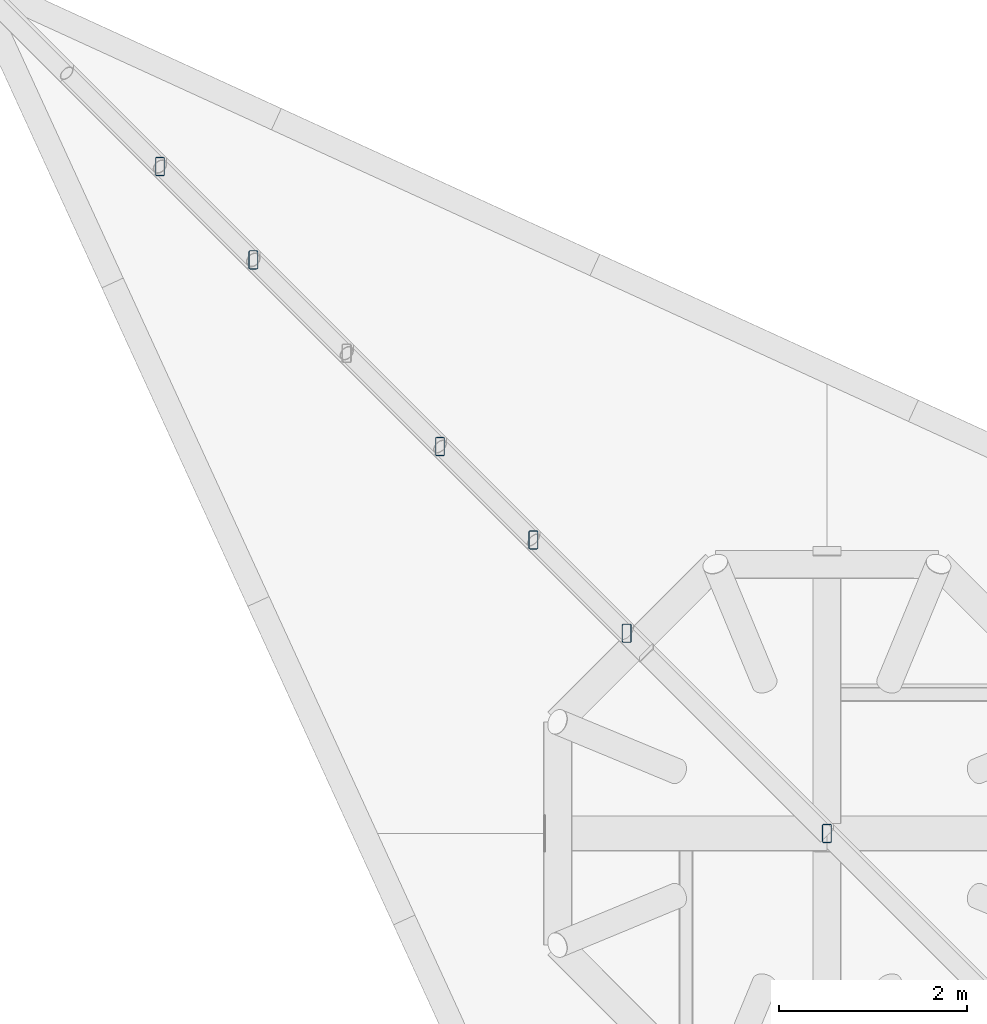
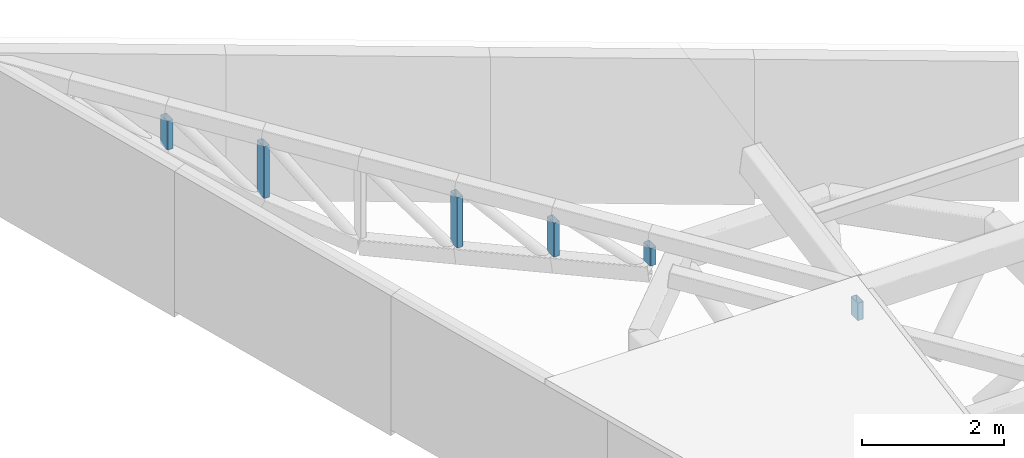
# One storey, part 11 of 32: 6 members.
"""IFC4 building model written with IfcOpenShell, lengths in metres."""

import ifcopenshell
import ifcopenshell.guid

model = None  # the IFC model being written
_history = None  # IfcOwnerHistory: only IFC2X3 demands one
_inside = {}  # id of a spatial element -> (the spatial element, [elements in it])
_under = {}  # id of a project, library or spatial element -> (it, [spatial elements below it])
_declared = {}  # id of a project -> (the project, [libraries it declares])
_typed = {}  # id of a type object -> (the type object, [elements of that type])
_made_of = {}  # id of a material, layer set ... -> (it, [elements and type objects made of it])


def new_model(schema):
    """Start an empty IFC model of exactly this schema.

    Asked for "IFC4X3", IfcOpenShell would pick the latest addendum, in which some entities
    have other attributes; the version numbers below select the first issue.
    IFC2X3 requires an IfcOwnerHistory on every rooted entity: one is made here for all.
    """
    global model, _history
    if schema == "IFC4X3":
        model = ifcopenshell.file(schema_version=(4, 3, 0, 0))
    else:
        model = ifcopenshell.file(schema=schema)
    _inside.clear()
    _under.clear()
    _declared.clear()
    _typed.clear()
    _made_of.clear()
    _history = None
    if model.schema == "IFC2X3":
        org = make("IfcOrganization", Name="unknown")
        user = make(
            "IfcPersonAndOrganization",
            ThePerson=make("IfcPerson", FamilyName="unknown"),
            TheOrganization=org,
        )
        app = make(
            "IfcApplication",
            ApplicationDeveloper=org,
            Version="unknown",
            ApplicationFullName="unknown",
            ApplicationIdentifier="unknown",
        )
        _history = make(
            "IfcOwnerHistory",
            OwningUser=user,
            OwningApplication=app,
            ChangeAction="ADDED",
            CreationDate=0,
        )
    return model


def make(cls, **values):
    """One entity of the class cls with the attributes given. An attribute that is None is left unset."""
    return model.create_entity(
        cls, **{name: value for name, value in values.items() if value is not None}
    )


def rooted(cls, **values):
    """An entity with a GlobalId (a new one), such as an element, a storey or a relation."""
    return make(cls, GlobalId=ifcopenshell.guid.new(), OwnerHistory=_history, **values)


def si_unit(unit_type, name, prefix=None):
    """IfcSIUnit, for example si_unit("LENGTHUNIT", "METRE", prefix="MILLI")."""
    return make("IfcSIUnit", UnitType=unit_type, Prefix=prefix, Name=name)


def assignment(units):
    """IfcUnitAssignment: the units of a project."""
    return None if units is None else make("IfcUnitAssignment", Units=units)


def point(xyz):
    """IfcCartesianPoint."""
    return None if xyz is None else make("IfcCartesianPoint", Coordinates=xyz)


def direction(xyz):
    """IfcDirection."""
    return None if xyz is None else make("IfcDirection", DirectionRatios=xyz)


def frame(location, z_axis=None, x_axis=None):
    """IfcAxis2Placement3D, a coordinate frame: its origin and axes. An axis left out is left unset."""
    return make(
        "IfcAxis2Placement3D",
        Location=point(location),
        Axis=direction(z_axis),
        RefDirection=direction(x_axis),
    )


def frame_2d(location, x_axis=None):
    """IfcAxis2Placement2D, a coordinate frame in the plane: its origin and x axis."""
    return make(
        "IfcAxis2Placement2D", Location=point(location), RefDirection=direction(x_axis)
    )


def origin():
    """The frame at (0, 0, 0) with its axes left unset."""
    return frame((0.0, 0.0, 0.0))


def origin_2d():
    """The frame at (0, 0) in the plane with its x axis left unset."""
    return frame_2d((0.0, 0.0))


def place(relative_to, where):
    """IfcLocalPlacement: puts the frame where relative to a parent placement (None: the world)."""
    return make(
        "IfcLocalPlacement", PlacementRelTo=relative_to, RelativePlacement=where
    )


def context(
    kind, dimensions, precision=None, world=None, true_north=None, identifier=None
):
    """IfcGeometricRepresentationContext, for example the 3D "Model" context."""
    return make(
        "IfcGeometricRepresentationContext",
        ContextIdentifier=identifier,
        ContextType=kind,
        CoordinateSpaceDimension=dimensions,
        Precision=precision,
        WorldCoordinateSystem=world,
        TrueNorth=true_north,
    )


def subcontext(parent, identifier, kind, view, scale=None):
    """IfcGeometricRepresentationSubContext, for example "Body" below "Model"."""
    return make(
        "IfcGeometricRepresentationSubContext",
        ContextIdentifier=identifier,
        ContextType=kind,
        ParentContext=parent,
        TargetScale=scale,
        TargetView=view,
    )


def project(units=None, contexts=None):
    """IfcProject with its units and contexts."""
    return rooted(
        "IfcProject",
        Name="project",
        RepresentationContexts=contexts,
        UnitsInContext=assignment(units),
    )


def spatial(cls, under=None, at=None, **own):
    """A site, building, storey or space (cls), placed at a placement, below another one or the project."""
    s = rooted(cls, ObjectPlacement=at, **own)
    if under is not None:
        _under.setdefault(under.id(), (under, []))[1].append(s)
    return s


def profile(cls, at=None, kind="AREA", **sizes):
    """A parametric profile (cls). Its sizes go by their IFC names, for example OverallWidth=200.0."""
    return make(cls, ProfileType=kind, Position=at, **sizes)


def hollow_rectangle(**sizes):
    """IfcRectangleHollowProfileDef."""
    return profile("IfcRectangleHollowProfileDef", **sizes)


def extrude(swept, where, along, depth):
    """IfcExtrudedAreaSolid: the profile swept, set in the frame where, extruded along a direction by depth."""
    return make(
        "IfcExtrudedAreaSolid",
        SweptArea=swept,
        Position=where,
        ExtrudedDirection=direction(along),
        Depth=depth,
    )


def shape(context_of_items, identifier, shape_type, items):
    """IfcShapeRepresentation: the items that make up one representation, for example the "Body"."""
    return make(
        "IfcShapeRepresentation",
        ContextOfItems=context_of_items,
        RepresentationIdentifier=identifier,
        RepresentationType=shape_type,
        Items=items,
    )


def material(Name=None, Category=None):
    """IfcMaterial."""
    return make("IfcMaterial", Name=Name, Category=Category)


def material_profile(
    of_material, cross_section, Name=None, Category=None, Priority=None
):
    """IfcMaterialProfile: a cross section and its material."""
    return make(
        "IfcMaterialProfile",
        Name=Name,
        Material=of_material,
        Profile=cross_section,
        Priority=Priority,
        Category=Category,
    )


def profile_set(profiles, Name=None, composite=None):
    """IfcMaterialProfileSet."""
    return make(
        "IfcMaterialProfileSet",
        Name=Name,
        MaterialProfiles=profiles,
        CompositeProfile=composite,
    )


def made_of(thing, what):
    """Note that an element or type object is made of a material, layer set ...; save() writes the relation."""
    if what is not None:
        _made_of.setdefault(what.id(), (what, []))[1].append(thing)
    return thing


def type_object(cls, material=None, **own):
    """A type object (cls), such as IfcWallType, which elements share."""
    return made_of(rooted(cls, **own), material)


def element(
    cls,
    number,
    at=None,
    inside=None,
    cuts=None,
    type_object=None,
    material=None,
    context=None,
    identifier="Body",
    shape_type=None,
    held_by="IfcProductDefinitionShape",
    body=None,
    shapes=None,
    **own,
):
    """One element of the class cls, such as IfcWall. Its Tag is "e" and its number.

    at: its placement. inside: the storey or other place that contains it. cuts: it is an
    opening in that element (IfcRelVoidsElement). A single representation is given by context,
    identifier, shape_type and body (its items); several are given by shapes. held_by: the class
    of the entity that holds the representations. save() writes the other relations.
    """
    e = rooted(cls, Tag="e%d" % number, ObjectPlacement=at, **own)
    if body is not None:
        shapes = [shape(context, identifier, shape_type, body)]
    if shapes is not None:
        e.Representation = make(held_by, Representations=shapes)
    if inside is not None:
        _inside.setdefault(inside.id(), (inside, []))[1].append(e)
    if cuts is not None:
        rooted(
            "IfcRelVoidsElement", RelatingBuildingElement=cuts, RelatedOpeningElement=e
        )
    if type_object is not None:
        _typed.setdefault(type_object.id(), (type_object, []))[1].append(e)
    return made_of(e, material)


def aggregate(whole, parts):
    """IfcRelAggregates: a whole, such as a stair, and the parts it consists of."""
    return rooted("IfcRelAggregates", RelatingObject=whole, RelatedObjects=parts)


def save(model, path):
    """Write the relations noted so far, then the file.

    IfcRelAggregates (storeys below a building ...), IfcRelContainedInSpatialStructure (elements
    in a storey), IfcRelDefinesByType, IfcRelAssociatesMaterial and IfcRelDeclares: one each for
    every whole, place, type object, material and project.
    """
    for whole, parts in _under.values():
        aggregate(whole, parts)
    for where, things in _inside.values():
        rooted(
            "IfcRelContainedInSpatialStructure",
            RelatedElements=things,
            RelatingStructure=where,
        )
    for kind, things in _typed.values():
        rooted("IfcRelDefinesByType", RelatedObjects=things, RelatingType=kind)
    for what, things in _made_of.values():
        rooted("IfcRelAssociatesMaterial", RelatedObjects=things, RelatingMaterial=what)
    for by, libraries in _declared.values():
        rooted("IfcRelDeclares", RelatingContext=by, RelatedDefinitions=libraries)
    model.write(path)


model = new_model("IFC4")

# Units and contexts
model_context = context("Model", 3, precision=1e-05, world=origin(), true_north=direction((0.0, 1.0)))
body_context = subcontext(model_context, "Body", "Model", "MODEL_VIEW")
ifc_project = project(units=[si_unit("LENGTHUNIT", "METRE"), si_unit("AREAUNIT", "SQUARE_METRE"), si_unit("VOLUMEUNIT", "CUBIC_METRE"), si_unit("PLANEANGLEUNIT", "RADIAN"), si_unit("MASSUNIT", "GRAM", prefix="KILO")], contexts=[model_context])

# Site, building, storey
site_placement = place(None, origin())
site = spatial("IfcSite", under=ifc_project, at=site_placement, CompositionType="ELEMENT")
building_placement = place(site_placement, origin())
building = spatial("IfcBuilding", under=site, at=building_placement, Name="Magnolia Steps Interchange", CompositionType="ELEMENT")
storey_placement = place(building_placement, frame((0.0, 0.0, 16.5)))
storey = spatial("IfcBuildingStorey", under=building, at=storey_placement, Name="L04", CompositionType="ELEMENT", Elevation=16.5)

# Members
ifc_material = material(Name="Steel Q355B", Category="steel")
ifc_material_profile = material_profile(ifc_material, hollow_rectangle(XDim=0.10009765625, YDim=0.199951171875, WallThickness=0.008056640625, InnerFilletRadius=0.008056640625, OuterFilletRadius=0.01611328125, at=origin_2d()), Name="RHS200x100x8")
ifc_profile_set = profile_set([ifc_material_profile], Name="Steel Q355B")
member_type = type_object("IfcMemberType", Name="Roof truss post RHS200x100x8", PredefinedType="USERDEFINED", material=ifc_profile_set)
for number, where, z_axis, x_axis, name in (
    (1, (53.199951171875, 85.60009765625, 1.7470703125), (0.0, 0.0, 1.0), (1.0, 0.0, 0.0), "Spike truss SP-H-NW post"),
    (2, (51.06884765625, 87.731201171875, 2.136962890625), (0.0, 0.0, 1.0), (1.0, 0.0, 0.0), "Spike truss SP-H-NW post"),
):
    element("IfcMember", number, at=place(storey_placement, frame(where, z_axis=z_axis, x_axis=x_axis)), inside=storey, type_object=member_type, Name=name, ObjectType="Roof truss post", PredefinedType="USERDEFINED", context=body_context, shape_type="SweptSolid", body=[
        extrude(hollow_rectangle(XDim=0.10009765625, YDim=0.199951171875, WallThickness=0.008056640625, InnerFilletRadius=0.008056640625, OuterFilletRadius=0.01611328125, at=origin_2d()), origin(), (0.0, 0.0, 1.0), 0.300048828125),
    ])
member_1_placement = place(storey_placement, frame((50.0751953125, 88.724853515625, 2.03759765625), z_axis=(0.0, 0.0, 1.0), x_axis=(1.0, 0.0, 0.0)))
element("IfcMember", 3, at=member_1_placement, inside=storey, type_object=member_type, Name="Spike truss SP-H-NW post", ObjectType="Roof truss post", PredefinedType="USERDEFINED", context=body_context, shape_type="SweptSolid", body=[
    extrude(hollow_rectangle(XDim=0.10009765625, YDim=0.199951171875, WallThickness=0.008056640625, InnerFilletRadius=0.008056640625, OuterFilletRadius=0.01611328125, at=origin_2d()), origin(), (0.0, 0.0, 1.0), 0.5810546875),
])
member_2_placement = place(storey_placement, frame((49.08154296875, 89.718505859375, 1.9384765625), z_axis=(0.0, 0.0, 1.0), x_axis=(1.0, 0.0, 0.0)))
element("IfcMember", 4, at=member_2_placement, inside=storey, type_object=member_type, Name="Spike truss SP-H-NW post", ObjectType="Roof truss post", PredefinedType="USERDEFINED", context=body_context, shape_type="SweptSolid", body=[
    extrude(hollow_rectangle(XDim=0.10009765625, YDim=0.199951171875, WallThickness=0.008056640625, InnerFilletRadius=0.008056640625, OuterFilletRadius=0.01611328125, at=origin_2d()), origin(), (0.0, 0.0, 1.0), 0.862060546875),
])
member_3_placement = place(storey_placement, frame((47.094482421875, 91.70556640625, 2.279052734375), z_axis=(0.0, 0.0, 1.0), x_axis=(1.0, 0.0, 0.0)))
element("IfcMember", 5, at=member_3_placement, inside=storey, type_object=member_type, Name="Spike truss SP-H-NW post", ObjectType="Roof truss post", PredefinedType="USERDEFINED", context=body_context, shape_type="SweptSolid", body=[
    extrude(hollow_rectangle(XDim=0.10009765625, YDim=0.199951171875, WallThickness=0.008056640625, InnerFilletRadius=0.008056640625, OuterFilletRadius=0.01611328125, at=origin_2d()), origin(), (0.0, 0.0, 1.0), 0.885009765625),
])
member_4_placement = place(storey_placement, frame((46.100830078125, 92.69921875, 2.855712890625), z_axis=(0.0, 0.0, 1.0), x_axis=(1.0, 0.0, 0.0)))
element("IfcMember", 6, at=member_4_placement, inside=storey, type_object=member_type, Name="Spike truss SP-H-NW post", ObjectType="Roof truss post", PredefinedType="USERDEFINED", context=body_context, shape_type="SweptSolid", body=[
    extrude(hollow_rectangle(XDim=0.10009765625, YDim=0.199951171875, WallThickness=0.008056640625, InnerFilletRadius=0.008056640625, OuterFilletRadius=0.01611328125, at=origin_2d()), origin(), (0.0, 0.0, 1.0), 0.489990234375),
])

save(model, "model.ifc")
